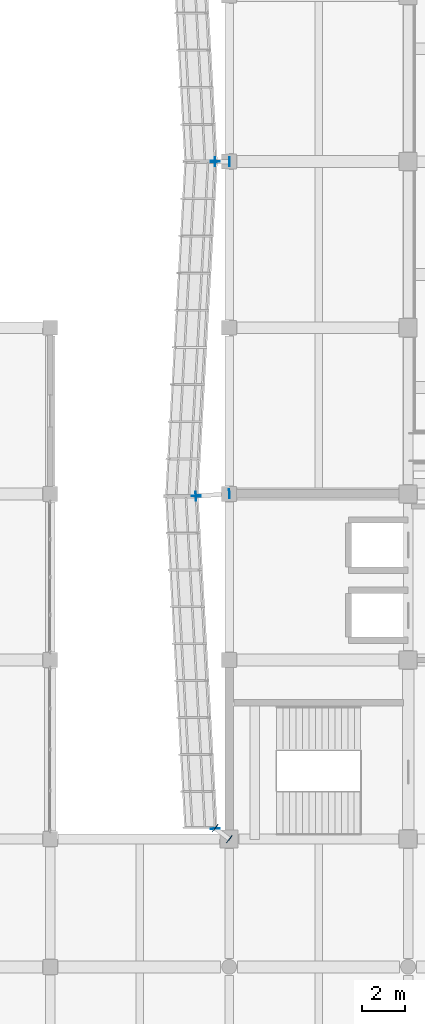
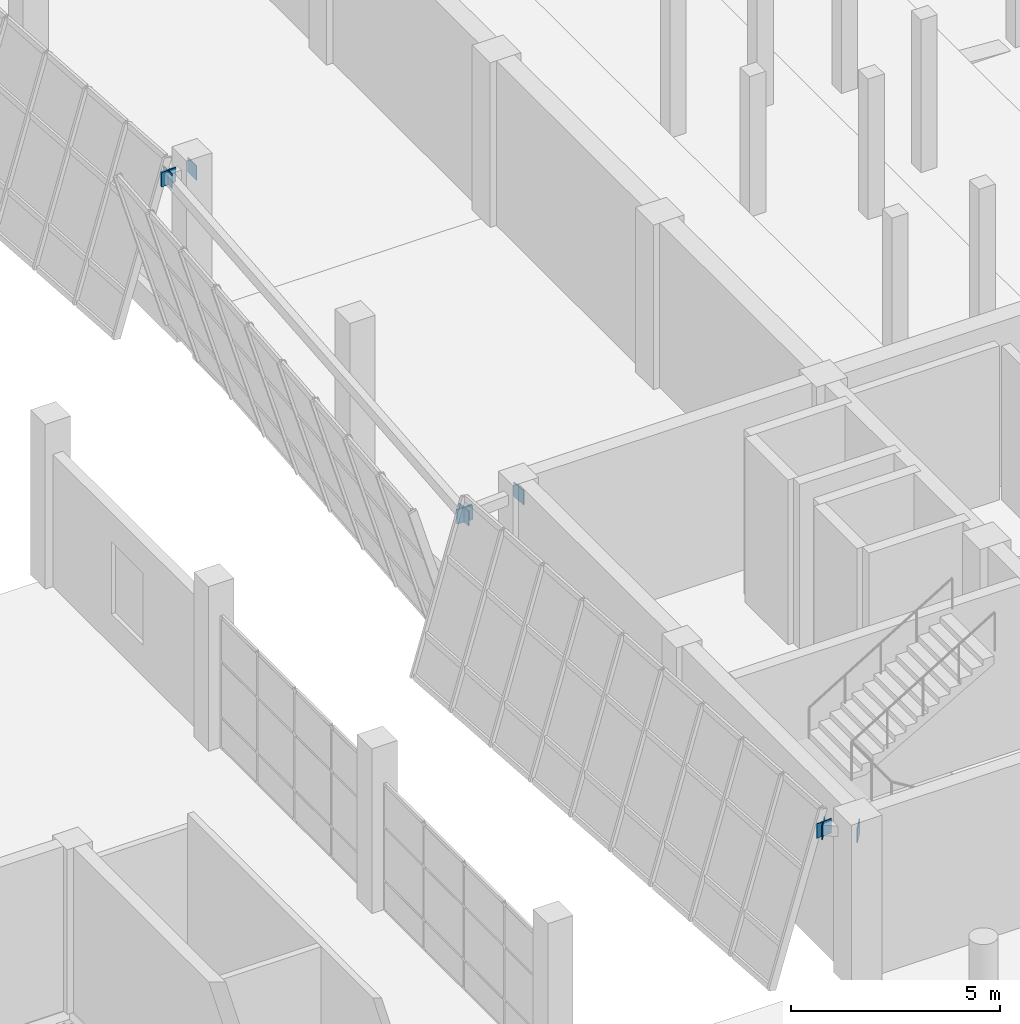
# One storey, part 75 of 91: 11 plates.
"""IFC4 building model written with IfcOpenShell, lengths in metres."""

from ifc_helpers import new_model, si_unit, direction, frame, origin, origin_2d, place, context, subcontext, project, spatial, rectangle, extrude, material, layer, layer_set, type_object, element, save


model = new_model("IFC4")

# Units and contexts
model_context = context("Model", 3, precision=1e-05, world=origin(), true_north=direction((0.0, 1.0)))
body_context = subcontext(model_context, "Body", "Model", "MODEL_VIEW")
ifc_project = project(units=[si_unit("LENGTHUNIT", "METRE"), si_unit("AREAUNIT", "SQUARE_METRE"), si_unit("VOLUMEUNIT", "CUBIC_METRE"), si_unit("PLANEANGLEUNIT", "RADIAN"), si_unit("MASSUNIT", "GRAM", prefix="KILO")], contexts=[model_context])

# Site, building, storey
site_placement = place(None, origin())
site = spatial("IfcSite", under=ifc_project, at=site_placement, CompositionType="ELEMENT")
building_placement = place(site_placement, origin())
building = spatial("IfcBuilding", under=site, at=building_placement, Name="Pellamere Symphony Hall", CompositionType="ELEMENT")
storey_placement = place(building_placement, frame((0.0, 0.0, 5.39990234375)))
storey = spatial("IfcBuildingStorey", under=building, at=storey_placement, Name="L01", CompositionType="ELEMENT", Elevation=5.39990234375)

# Plates
ifc_material = material(Name="Steel CSA G40.21 350W", Category="steel")
ifc_layer = layer(ifc_material, 0.02490234375, Name="Steel CSA G40.21 350W")
ifc_layer_set = layer_set([ifc_layer], Name="Steel CSA G40.21 350W")
plate_type = type_object("IfcPlateType", Name="Steel Connection Plate KP-01 420x420x25", PredefinedType="SHEET", material=ifc_layer_set)
for number, where, z_axis, x_axis, name in (
    (1, (49.750732421875, 61.7880859375, 4.030029296875), (0.0, 0.0, 1.0), (0.057215536424, -0.998361849427, 0.0), "Crystal Spandrel End Cap Plate CW-CR16-2 (L01)"),
    (2, (50.412109375, 61.800048828125, 4.030029296875), (0.0, 0.0, 1.0), (-1.0, 0.0, 0.0), "Outrigger End Cap Plate 099.1 (L01)"),
    (3, (49.738037109375, 61.800048828125, 4.030029296875), (0.0, 0.0, 1.0), (-1.0, 0.0, 0.0), "Outrigger End Cap Plate 099.2 (L01)"),
    (4, (49.750732421875, 61.81201171875, 4.030029296875), (0.0, 0.0, 1.0), (-0.057215536424, -0.998361849427, 0.0), "Crystal Spandrel End Cap Plate CW-CR17-1 (L01)"),
    (5, (48.849365234375, 46.087890625, 4.030029296875), (0.0, 0.0, 1.0), (-0.057215536424, -0.998361849427, 0.0), "Crystal Spandrel End Cap Plate CW-CR17-2 (L01)"),
    (6, (50.412109375, 46.20068359375, 4.030029296875), (0.0, 0.0, 1.0), (-0.997926866086, -0.064358138139, 0.0), "Outrigger End Cap Plate 109.1 (L01)"),
    (7, (48.837890625, 46.09912109375, 4.030029296875), (0.0, 0.0, 1.0), (-0.997926866086, -0.064358138139, 0.0), "Outrigger End Cap Plate 109.2 (L01)"),
    (8, (48.849365234375, 46.112060546875, 4.030029296875), (0.0, 0.0, 1.0), (0.05756402696, -0.998341816614, 0.0), "Crystal Spandrel End Cap Plate CW-CR18-1 (L01)"),
    (9, (49.750732421875, 30.488037109375, 4.030029296875), (0.0, 0.0, 1.0), (0.05756402696, -0.998341816614, 0.0), "Crystal Spandrel End Cap Plate CW-CR18-2 (L01)"),
    (10, (50.409423828125, 29.99267578125, 4.030029296875), (0.0, 0.0, 1.0), (-0.792609005996, 0.609730238396, 0.0), "Outrigger End Cap Plate 119.1 (L01)"),
    (11, (49.740478515625, 30.50732421875, 4.030029296875), (0.0, 0.0, 1.0), (-0.792609005996, 0.609730238396, 0.0), "Outrigger End Cap Plate 119.2 (L01)"),
):
    element("IfcPlate", number, at=place(storey_placement, frame(where, z_axis=z_axis, x_axis=x_axis)), inside=storey, type_object=plate_type, Name=name, PredefinedType="SHEET", context=body_context, shape_type="SweptSolid", body=[
        extrude(rectangle(XDim=0.02490234375, YDim=0.419921875, at=origin_2d()), origin(), (0.0, 0.0, 1.0), 0.419921875),
    ])

save(model, "model.ifc")
